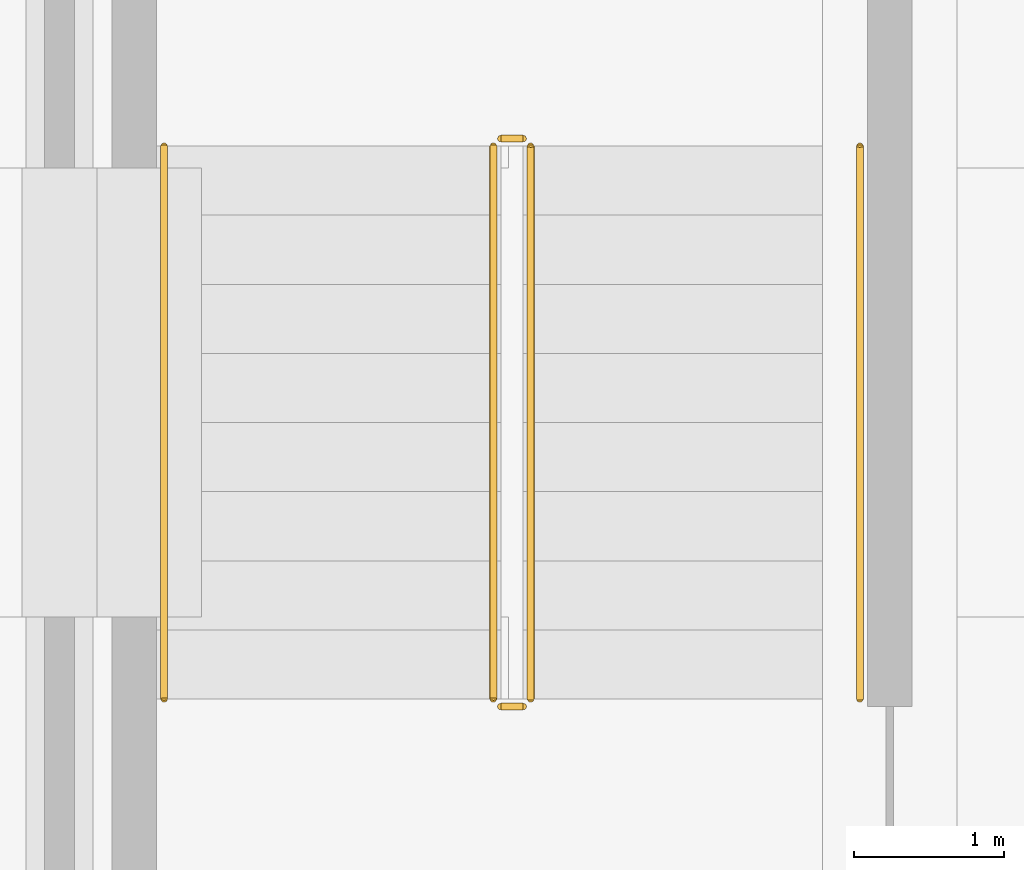
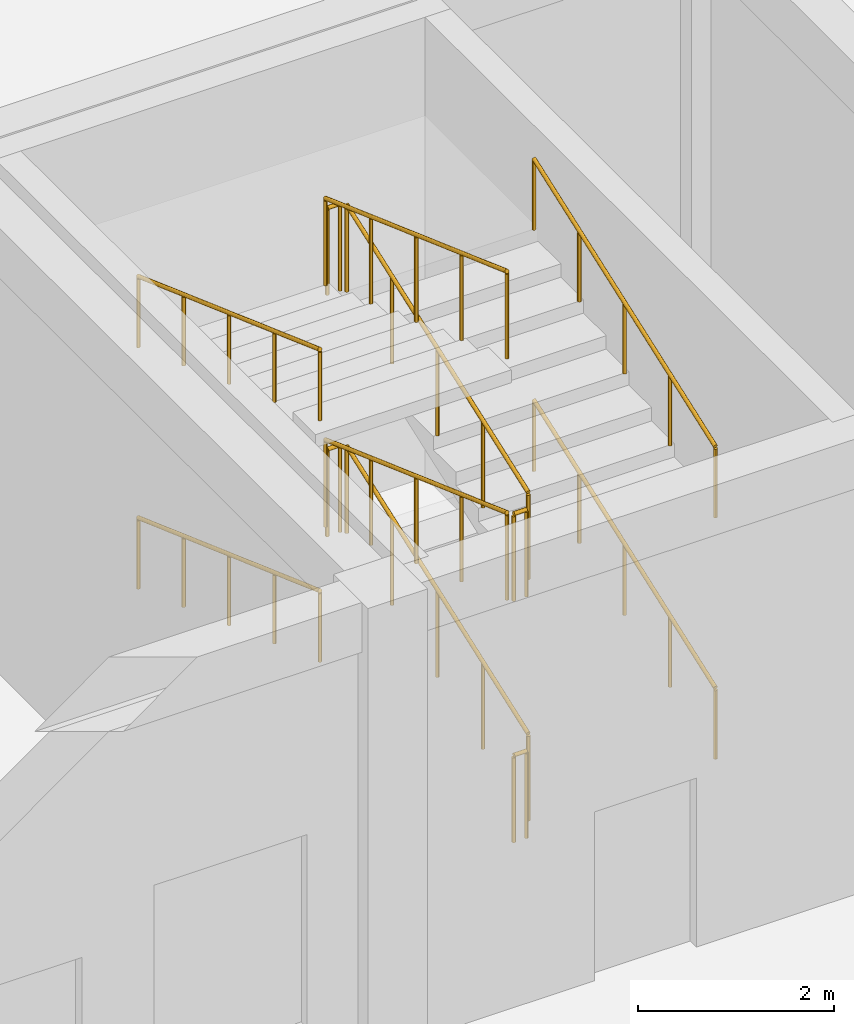
# One storey, part 39 of 44: 12 railings.
"""IFC4 building model written with IfcOpenShell, lengths in metres."""

from ifc_helpers import new_model, si_unit, direction, frame, origin, origin_2d, place, context, subcontext, project, spatial, circle, extrude, material, type_object, element, save


model = new_model("IFC4")

# Units and contexts
model_context = context("Model", 3, precision=1e-05, world=origin(), true_north=direction((0.0, 1.0)))
body_context = subcontext(model_context, "Body", "Model", "MODEL_VIEW")
ifc_project = project(units=[si_unit("LENGTHUNIT", "METRE"), si_unit("AREAUNIT", "SQUARE_METRE"), si_unit("VOLUMEUNIT", "CUBIC_METRE"), si_unit("PLANEANGLEUNIT", "RADIAN"), si_unit("MASSUNIT", "GRAM", prefix="KILO")], contexts=[model_context])

# Site, building, storey
site_placement = place(None, origin())
site = spatial("IfcSite", under=ifc_project, at=site_placement, CompositionType="ELEMENT")
building_placement = place(site_placement, origin())
building = spatial("IfcBuilding", under=site, at=building_placement, Name="Dhurran Vertical Campus", CompositionType="ELEMENT")
storey_placement = place(building_placement, origin())
storey = spatial("IfcBuildingStorey", under=building, at=storey_placement, Name="L00", CompositionType="ELEMENT", Elevation=0.0)

# Railings
ifc_material_1 = material(Name="Steel S355J2H", Category="steel")
railing_type_1 = type_object("IfcRailingType", Name="hl-stair guard 1100", PredefinedType="GUARDRAIL", material=ifc_material_1)
railing_1_placement = place(storey_placement, frame((118.64990234375, -24.550048828125, 0.166748046875)))
element("IfcRailing", 1, at=railing_1_placement, inside=storey, type_object=railing_type_1, Name="L00 HST4 stair guard 1", PredefinedType="GUARDRAIL", context=body_context, shape_type="SweptSolid", body=[
    extrude(circle(Radius=0.02392578125, at=origin_2d()), frame((0.0, 0.0, 1.076171875), z_axis=(0.0, 0.94067018433, 0.339322272054), x_axis=(-1.0, 0.0, 0.0)), (0.0, 0.0, 1.0), 3.92919921875),
    extrude(circle(Radius=0.02099609375, at=origin_2d()), origin(), (0.0, 0.0, 1.0), 1.052001953125),
    extrude(circle(Radius=0.02099609375, at=origin_2d()), frame((0.0, 0.924072265625, 0.333251953125)), (0.0, 0.0, 1.0), 1.052001953125),
    extrude(circle(Radius=0.02099609375, at=origin_2d()), frame((0.0, 1.84814453125, 0.66650390625)), (0.0, 0.0, 1.0), 1.052001953125),
    extrude(circle(Radius=0.02099609375, at=origin_2d()), frame((0.0, 2.77197265625, 1.0)), (0.0, 0.0, 1.0), 1.052001953125),
    extrude(circle(Radius=0.02099609375, at=origin_2d()), frame((0.0, 3.696044921875, 1.333251953125)), (0.0, 0.0, 1.0), 1.052001953125),
])
railing_2_placement = place(storey_placement, frame((118.60009765625, -20.803955078125, 1.5)))
element("IfcRailing", 2, at=railing_2_placement, inside=storey, type_object=railing_type_1, Name="L00 HST4 stair guard 2", PredefinedType="GUARDRAIL", context=body_context, shape_type="SweptSolid", body=[
    extrude(circle(Radius=0.02392578125, at=origin_2d()), frame((0.0, 0.0, 1.076171875), z_axis=(-1.0, 0.0, 0.0), x_axis=(0.0, -1.0, 0.0)), (0.0, 0.0, 1.0), 0.150146484375),
    extrude(circle(Radius=0.02099609375, at=origin_2d()), origin(), (0.0, 0.0, 1.0), 1.052001953125),
    extrude(circle(Radius=0.02099609375, at=origin_2d()), frame((-0.150146484375, 0.0, 0.0)), (0.0, 0.0, 1.0), 1.052001953125),
])
railing_3_placement = place(storey_placement, frame((118.39990234375, -20.85400390625, 1.666748046875)))
element("IfcRailing", 3, at=railing_3_placement, inside=storey, type_object=railing_type_1, Name="L00 HST4 stair guard 3", PredefinedType="GUARDRAIL", context=body_context, shape_type="SweptSolid", body=[
    extrude(circle(Radius=0.02392578125, at=origin_2d()), frame((0.0, 0.0, 1.076171875), z_axis=(0.0, -0.94067018433, 0.339322272054), x_axis=(1.0, 0.0, 0.0)), (0.0, 0.0, 1.0), 3.92919921875),
    extrude(circle(Radius=0.02099609375, at=origin_2d()), origin(), (0.0, 0.0, 1.0), 1.052001953125),
    extrude(circle(Radius=0.02099609375, at=origin_2d()), frame((0.0, -0.924072265625, 0.333251953125)), (0.0, 0.0, 1.0), 1.052001953125),
    extrude(circle(Radius=0.02099609375, at=origin_2d()), frame((0.0, -1.84814453125, 0.66650390625)), (0.0, 0.0, 1.0), 1.052001953125),
    extrude(circle(Radius=0.02099609375, at=origin_2d()), frame((0.0, -2.77197265625, 1.0)), (0.0, 0.0, 1.0), 1.052001953125),
    extrude(circle(Radius=0.02099609375, at=origin_2d()), frame((0.0, -3.696044921875, 1.333251953125)), (0.0, 0.0, 1.0), 1.052001953125),
])
railing_4_placement = place(storey_placement, frame((118.60009765625, -24.60009765625, 3.0)))
element("IfcRailing", 4, at=railing_4_placement, inside=storey, type_object=railing_type_1, Name="L00 HST4 stair guard 4", PredefinedType="GUARDRAIL", context=body_context, shape_type="SweptSolid", body=[
    extrude(circle(Radius=0.02392578125, at=origin_2d()), frame((0.0, 0.0, 1.076171875), z_axis=(-1.0, 0.0, 0.0), x_axis=(0.0, -1.0, 0.0)), (0.0, 0.0, 1.0), 0.150146484375),
    extrude(circle(Radius=0.02099609375, at=origin_2d()), origin(), (0.0, 0.0, 1.0), 1.052001953125),
    extrude(circle(Radius=0.02099609375, at=origin_2d()), frame((-0.150146484375, 0.0, 0.0)), (0.0, 0.0, 1.0), 1.052001953125),
])
railing_5_placement = place(storey_placement, frame((118.64990234375, -24.550048828125, 3.166748046875)))
element("IfcRailing", 5, at=railing_5_placement, inside=storey, type_object=railing_type_1, Name="L00 HST4 stair guard 5", PredefinedType="GUARDRAIL", context=body_context, shape_type="SweptSolid", body=[
    extrude(circle(Radius=0.02392578125, at=origin_2d()), frame((0.0, 0.0, 1.076171875), z_axis=(0.0, 0.94067018433, 0.339322272054), x_axis=(-1.0, 0.0, 0.0)), (0.0, 0.0, 1.0), 3.92919921875),
    extrude(circle(Radius=0.02099609375, at=origin_2d()), origin(), (0.0, 0.0, 1.0), 1.052001953125),
    extrude(circle(Radius=0.02099609375, at=origin_2d()), frame((0.0, 0.924072265625, 0.333251953125)), (0.0, 0.0, 1.0), 1.052001953125),
    extrude(circle(Radius=0.02099609375, at=origin_2d()), frame((0.0, 1.84814453125, 0.66650390625)), (0.0, 0.0, 1.0), 1.052001953125),
    extrude(circle(Radius=0.02099609375, at=origin_2d()), frame((0.0, 2.77197265625, 1.0)), (0.0, 0.0, 1.0), 1.052001953125),
    extrude(circle(Radius=0.02099609375, at=origin_2d()), frame((0.0, 3.696044921875, 1.333251953125)), (0.0, 0.0, 1.0), 1.052001953125),
])
railing_6_placement = place(storey_placement, frame((118.60009765625, -20.803955078125, 4.5)))
element("IfcRailing", 6, at=railing_6_placement, inside=storey, type_object=railing_type_1, Name="L00 HST4 stair guard 6", PredefinedType="GUARDRAIL", context=body_context, shape_type="SweptSolid", body=[
    extrude(circle(Radius=0.02392578125, at=origin_2d()), frame((0.0, 0.0, 1.076171875), z_axis=(-1.0, 0.0, 0.0), x_axis=(0.0, -1.0, 0.0)), (0.0, 0.0, 1.0), 0.150146484375),
    extrude(circle(Radius=0.02099609375, at=origin_2d()), origin(), (0.0, 0.0, 1.0), 1.052001953125),
    extrude(circle(Radius=0.02099609375, at=origin_2d()), frame((-0.150146484375, 0.0, 0.0)), (0.0, 0.0, 1.0), 1.052001953125),
])
railing_7_placement = place(storey_placement, frame((118.39990234375, -20.85400390625, 4.666748046875)))
element("IfcRailing", 7, at=railing_7_placement, inside=storey, type_object=railing_type_1, Name="L00 HST4 stair guard 7", PredefinedType="GUARDRAIL", context=body_context, shape_type="SweptSolid", body=[
    extrude(circle(Radius=0.02392578125, at=origin_2d()), frame((0.0, 0.0, 1.076171875), z_axis=(0.0, -0.94067018433, 0.339322272054), x_axis=(1.0, 0.0, 0.0)), (0.0, 0.0, 1.0), 3.92919921875),
    extrude(circle(Radius=0.02099609375, at=origin_2d()), origin(), (0.0, 0.0, 1.0), 1.052001953125),
    extrude(circle(Radius=0.02099609375, at=origin_2d()), frame((0.0, -0.924072265625, 0.333251953125)), (0.0, 0.0, 1.0), 1.052001953125),
    extrude(circle(Radius=0.02099609375, at=origin_2d()), frame((0.0, -1.84814453125, 0.66650390625)), (0.0, 0.0, 1.0), 1.052001953125),
    extrude(circle(Radius=0.02099609375, at=origin_2d()), frame((0.0, -2.77197265625, 1.0)), (0.0, 0.0, 1.0), 1.052001953125),
    extrude(circle(Radius=0.02099609375, at=origin_2d()), frame((0.0, -3.696044921875, 1.333251953125)), (0.0, 0.0, 1.0), 1.052001953125),
])
railing_8_placement = place(storey_placement, frame((118.60009765625, -24.60009765625, 0.0)))
element("IfcRailing", 8, at=railing_8_placement, inside=storey, type_object=railing_type_1, Name="L00 HST4 stair guard 8", PredefinedType="GUARDRAIL", context=body_context, shape_type="SweptSolid", body=[
    extrude(circle(Radius=0.02392578125, at=origin_2d()), frame((0.0, 0.0, 1.076171875), z_axis=(-1.0, 0.0, 0.0), x_axis=(0.0, -1.0, 0.0)), (0.0, 0.0, 1.0), 0.150146484375),
    extrude(circle(Radius=0.02099609375, at=origin_2d()), origin(), (0.0, 0.0, 1.0), 1.052001953125),
    extrude(circle(Radius=0.02099609375, at=origin_2d()), frame((-0.150146484375, 0.0, 0.0)), (0.0, 0.0, 1.0), 1.052001953125),
])
ifc_material_2 = material(Name="Steel S355J2H", Category="steel")
railing_type_2 = type_object("IfcRailingType", Name="hl-stair handrail", PredefinedType="HANDRAIL", material=ifc_material_2)
railing_9_placement = place(storey_placement, frame((120.85009765625, -24.550048828125, 0.166748046875)))
element("IfcRailing", 9, at=railing_9_placement, inside=storey, type_object=railing_type_2, Name="L00 HST4 stair handrail 1", PredefinedType="HANDRAIL", context=body_context, shape_type="SweptSolid", body=[
    extrude(circle(Radius=0.02392578125, at=origin_2d()), frame((0.0, 0.0, 0.8759765625), z_axis=(0.0, 0.94067018433, 0.339322272054), x_axis=(-1.0, 0.0, 0.0)), (0.0, 0.0, 1.0), 3.92919921875),
    extrude(circle(Radius=0.02099609375, at=origin_2d()), origin(), (0.0, 0.0, 1.0), 0.851806640625),
    extrude(circle(Radius=0.02099609375, at=origin_2d()), frame((0.0, 0.924072265625, 0.333251953125)), (0.0, 0.0, 1.0), 0.851806640625),
    extrude(circle(Radius=0.02099609375, at=origin_2d()), frame((0.0, 1.84814453125, 0.66650390625)), (0.0, 0.0, 1.0), 0.851806640625),
    extrude(circle(Radius=0.02099609375, at=origin_2d()), frame((0.0, 2.77197265625, 1.0)), (0.0, 0.0, 1.0), 0.851806640625),
    extrude(circle(Radius=0.02099609375, at=origin_2d()), frame((0.0, 3.696044921875, 1.333251953125)), (0.0, 0.0, 1.0), 0.851806640625),
])
railing_10_placement = place(storey_placement, frame((116.199951171875, -20.85400390625, 1.666748046875)))
element("IfcRailing", 10, at=railing_10_placement, inside=storey, type_object=railing_type_2, Name="L00 HST4 stair handrail 2", PredefinedType="HANDRAIL", context=body_context, shape_type="SweptSolid", body=[
    extrude(circle(Radius=0.02392578125, at=origin_2d()), frame((0.0, 0.0, 0.8759765625), z_axis=(0.0, -0.94067018433, 0.339322272054), x_axis=(1.0, 0.0, 0.0)), (0.0, 0.0, 1.0), 3.92919921875),
    extrude(circle(Radius=0.02099609375, at=origin_2d()), origin(), (0.0, 0.0, 1.0), 0.851806640625),
    extrude(circle(Radius=0.02099609375, at=origin_2d()), frame((0.0, -0.924072265625, 0.333251953125)), (0.0, 0.0, 1.0), 0.851806640625),
    extrude(circle(Radius=0.02099609375, at=origin_2d()), frame((0.0, -1.84814453125, 0.66650390625)), (0.0, 0.0, 1.0), 0.851806640625),
    extrude(circle(Radius=0.02099609375, at=origin_2d()), frame((0.0, -2.77197265625, 1.0)), (0.0, 0.0, 1.0), 0.851806640625),
    extrude(circle(Radius=0.02099609375, at=origin_2d()), frame((0.0, -3.696044921875, 1.333251953125)), (0.0, 0.0, 1.0), 0.851806640625),
])
railing_11_placement = place(storey_placement, frame((120.85009765625, -24.550048828125, 3.166748046875)))
element("IfcRailing", 11, at=railing_11_placement, inside=storey, type_object=railing_type_2, Name="L00 HST4 stair handrail 3", PredefinedType="HANDRAIL", context=body_context, shape_type="SweptSolid", body=[
    extrude(circle(Radius=0.02392578125, at=origin_2d()), frame((0.0, 0.0, 0.8759765625), z_axis=(0.0, 0.94067018433, 0.339322272054), x_axis=(-1.0, 0.0, 0.0)), (0.0, 0.0, 1.0), 3.92919921875),
    extrude(circle(Radius=0.02099609375, at=origin_2d()), origin(), (0.0, 0.0, 1.0), 0.851806640625),
    extrude(circle(Radius=0.02099609375, at=origin_2d()), frame((0.0, 0.924072265625, 0.333251953125)), (0.0, 0.0, 1.0), 0.851806640625),
    extrude(circle(Radius=0.02099609375, at=origin_2d()), frame((0.0, 1.84814453125, 0.66650390625)), (0.0, 0.0, 1.0), 0.851806640625),
    extrude(circle(Radius=0.02099609375, at=origin_2d()), frame((0.0, 2.77197265625, 1.0)), (0.0, 0.0, 1.0), 0.851806640625),
    extrude(circle(Radius=0.02099609375, at=origin_2d()), frame((0.0, 3.696044921875, 1.333251953125)), (0.0, 0.0, 1.0), 0.851806640625),
])
railing_12_placement = place(storey_placement, frame((116.199951171875, -20.85400390625, 4.666748046875)))
element("IfcRailing", 12, at=railing_12_placement, inside=storey, type_object=railing_type_2, Name="L00 HST4 stair handrail 4", PredefinedType="HANDRAIL", context=body_context, shape_type="SweptSolid", body=[
    extrude(circle(Radius=0.02392578125, at=origin_2d()), frame((0.0, 0.0, 0.8759765625), z_axis=(0.0, -0.94067018433, 0.339322272054), x_axis=(1.0, 0.0, 0.0)), (0.0, 0.0, 1.0), 3.92919921875),
    extrude(circle(Radius=0.02099609375, at=origin_2d()), origin(), (0.0, 0.0, 1.0), 0.851806640625),
    extrude(circle(Radius=0.02099609375, at=origin_2d()), frame((0.0, -0.924072265625, 0.333251953125)), (0.0, 0.0, 1.0), 0.851806640625),
    extrude(circle(Radius=0.02099609375, at=origin_2d()), frame((0.0, -1.84814453125, 0.66650390625)), (0.0, 0.0, 1.0), 0.851806640625),
    extrude(circle(Radius=0.02099609375, at=origin_2d()), frame((0.0, -2.77197265625, 1.0)), (0.0, 0.0, 1.0), 0.851806640625),
    extrude(circle(Radius=0.02099609375, at=origin_2d()), frame((0.0, -3.696044921875, 1.333251953125)), (0.0, 0.0, 1.0), 0.851806640625),
])

save(model, "model.ifc")
